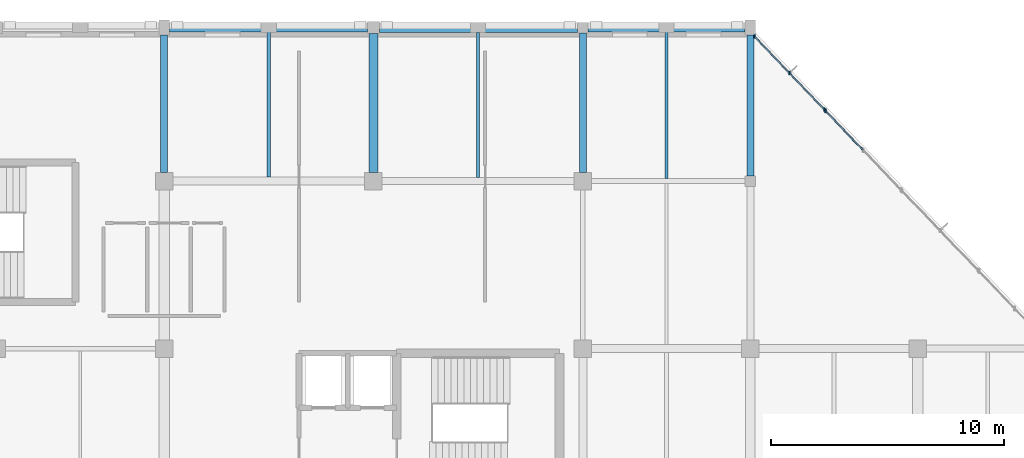
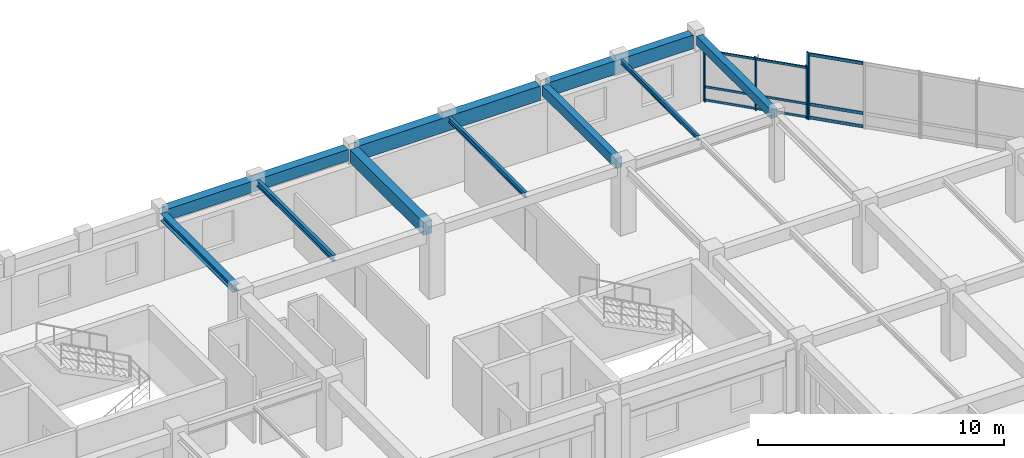
# One storey, part 38 of 74: 13 members, 10 beams, 2 elements without a shape of their own.
"""IFC4 building model written with IfcOpenShell, lengths in metres."""

from ifc_helpers import new_model, si_unit, direction, frame, origin, origin_2d, place, context, subcontext, project, spatial, rectangle, i_section, extrude, material, material_profile, profile_set, type_object, element, aggregate, save


model = new_model("IFC4")

# Units and contexts
model_context = context("Model", 3, precision=1e-05, world=origin(), true_north=direction((0.0, 1.0)))
body_context = subcontext(model_context, "Body", "Model", "MODEL_VIEW")
ifc_project = project(units=[si_unit("LENGTHUNIT", "METRE"), si_unit("AREAUNIT", "SQUARE_METRE"), si_unit("VOLUMEUNIT", "CUBIC_METRE"), si_unit("PLANEANGLEUNIT", "RADIAN"), si_unit("MASSUNIT", "GRAM", prefix="KILO")], contexts=[model_context])

# Site, building, storey
site_placement = place(None, origin())
site = spatial("IfcSite", under=ifc_project, at=site_placement, CompositionType="ELEMENT")
building_placement = place(site_placement, origin())
building = spatial("IfcBuilding", under=site, at=building_placement, Name="Clarverna Civic Hall", CompositionType="ELEMENT")
storey_placement = place(building_placement, frame((0.0, 0.0, 13.199951171875)))
storey = spatial("IfcBuildingStorey", under=building, at=storey_placement, Name="L03", CompositionType="ELEMENT", Elevation=13.199951171875)

# Beams
ifc_material_1 = material(Name="Concrete C35/45", Category="concrete")
ifc_material_profile_1 = material_profile(ifc_material_1, rectangle(XDim=0.300048828125, YDim=0.5, at=origin_2d()), Name="RC 300x500")
ifc_profile_set_1 = profile_set([ifc_material_profile_1], Name="Concrete C35/45")
beam_type_1 = type_object("IfcBeamType", Name="B-RC12", PredefinedType="BEAM", material=ifc_profile_set_1)
beam_1_placement = place(storey_placement, frame((147.60009765625, 109.77490234375, 3.070068359375), z_axis=(0.0, 1.0, 0.0), x_axis=(-1.0, 0.0, 0.0)))
element("IfcBeam", 1, at=beam_1_placement, inside=storey, type_object=beam_type_1, Name="B-RC12-046", PredefinedType="BEAM", context=body_context, shape_type="SweptSolid", body=[
    extrude(rectangle(XDim=0.300048828125, YDim=0.5, at=origin_2d()), origin(), (0.0, 0.0, 1.0), 6.0),
])
ifc_material_profile_2 = material_profile(ifc_material_1, rectangle(XDim=0.300048828125, YDim=0.449951171875, at=origin_2d()), Name="RC 300x450")
ifc_profile_set_2 = profile_set([ifc_material_profile_2], Name="Concrete C35/45")
beam_type_2 = type_object("IfcBeamType", Name="B-RC18", PredefinedType="BEAM", material=ifc_profile_set_2)
beam_2_placement = place(storey_placement, frame((154.800048828125, 109.625, 3.094970703125), z_axis=(0.0, 1.0, 0.0), x_axis=(-1.0, 0.0, 0.0)))
element("IfcBeam", 2, at=beam_2_placement, inside=storey, type_object=beam_type_2, Name="B-RC18-040", PredefinedType="BEAM", context=body_context, shape_type="SweptSolid", body=[
    extrude(rectangle(XDim=0.300048828125, YDim=0.449951171875, at=origin_2d()), origin(), (0.0, 0.0, 1.0), 6.050048828125),
])
ifc_material_profile_3 = material_profile(ifc_material_1, rectangle(XDim=0.39990234375, YDim=0.64990234375, at=origin_2d()), Name="RC 400x650")
ifc_profile_set_3 = profile_set([ifc_material_profile_3], Name="Concrete C35/45")
beam_type_3 = type_object("IfcBeamType", Name="B-RC6", PredefinedType="BEAM", material=ifc_profile_set_3)
beam_3_placement = place(storey_placement, frame((138.60009765625, 109.77490234375, 2.9951171875), z_axis=(0.0, 1.0, 0.0), x_axis=(-1.0, 0.0, 0.0)))
element("IfcBeam", 3, at=beam_3_placement, inside=storey, type_object=beam_type_3, Name="B-RC6-048", PredefinedType="BEAM", context=body_context, shape_type="SweptSolid", body=[
    extrude(rectangle(XDim=0.39990234375, YDim=0.64990234375, at=origin_2d()), origin(), (0.0, 0.0, 1.0), 5.97509765625),
])
ifc_material_profile_4 = material_profile(ifc_material_1, rectangle(XDim=0.419921875, YDim=0.719970703125, at=origin_2d()), Name="RC 420x720")
ifc_profile_set_4 = profile_set([ifc_material_profile_4], Name="Concrete C35/45")
beam_type_4 = type_object("IfcBeamType", Name="B-SP1", PredefinedType="SPANDREL", material=ifc_profile_set_4)
beam_4_placement = place(storey_placement, frame((138.85009765625, 116.0, 2.9599609375), z_axis=(1.0, 0.0, 0.0), x_axis=(0.0, 1.0, 0.0)))
element("IfcBeam", 4, at=beam_4_placement, inside=storey, type_object=beam_type_4, Name="B-SP1-117", PredefinedType="SPANDREL", context=body_context, shape_type="SweptSolid", body=[
    extrude(rectangle(XDim=0.419921875, YDim=0.719970703125, at=origin_2d()), origin(), (0.0, 0.0, 1.0), 8.52490234375),
])
ifc_material_profile_5 = material_profile(ifc_material_1, rectangle(XDim=0.3798828125, YDim=0.679931640625, at=origin_2d()), Name="RC 380x680")
ifc_profile_set_5 = profile_set([ifc_material_profile_5], Name="Concrete C35/45")
beam_type_5 = type_object("IfcBeamType", Name="B-SP2", PredefinedType="SPANDREL", material=ifc_profile_set_5)
beam_5_placement = place(storey_placement, frame((147.824951171875, 116.0, 2.97998046875), z_axis=(1.0, 0.0, 0.0), x_axis=(0.0, 1.0, 0.0)))
element("IfcBeam", 5, at=beam_5_placement, inside=storey, type_object=beam_type_5, Name="B-SP2-122", PredefinedType="SPANDREL", context=body_context, shape_type="SweptSolid", body=[
    extrude(rectangle(XDim=0.3798828125, YDim=0.679931640625, at=origin_2d()), origin(), (0.0, 0.0, 1.0), 6.75),
])
ifc_material_profile_6 = material_profile(ifc_material_1, rectangle(XDim=0.39990234375, YDim=0.56005859375, at=origin_2d()), Name="RC 400x560")
ifc_profile_set_6 = profile_set([ifc_material_profile_6], Name="Concrete C35/45")
beam_type_6 = type_object("IfcBeamType", Name="B-SP4", PredefinedType="SPANDREL", material=ifc_profile_set_6)
beam_6_placement = place(storey_placement, frame((129.824951171875, 116.0, 3.0400390625), z_axis=(1.0, 0.0, 0.0), x_axis=(0.0, 1.0, 0.0)))
element("IfcBeam", 6, at=beam_6_placement, inside=storey, type_object=beam_type_6, Name="B-SP4-118", PredefinedType="SPANDREL", context=body_context, shape_type="SweptSolid", body=[
    extrude(rectangle(XDim=0.39990234375, YDim=0.56005859375, at=origin_2d()), origin(), (0.0, 0.0, 1.0), 8.525146484375),
])
ifc_material_2 = material(Name="Steel S355", Category="steel")
ifc_material_profile_7 = material_profile(ifc_material_2, i_section(OverallWidth=0.300048828125, OverallDepth=0.35009765625, WebThickness=0.010009765625, FlangeThickness=0.017578125, FilletRadius=0.027099609375, at=origin_2d()), Name="HEA 360")
ifc_profile_set_7 = profile_set([ifc_material_profile_7], Name="Steel S355")
beam_type_7 = type_object("IfcBeamType", Name="B-ST7", PredefinedType="BEAM", material=ifc_profile_set_7)
beam_7_placement = place(storey_placement, frame((129.60009765625, 109.77490234375, 3.14501953125), z_axis=(0.0, 1.0, 0.0), x_axis=(-1.0, 0.0, 0.0)))
element("IfcBeam", 7, at=beam_7_placement, inside=storey, type_object=beam_type_7, Name="B-ST7-017", PredefinedType="BEAM", context=body_context, shape_type="SweptSolid", body=[
    extrude(i_section(OverallWidth=0.300048828125, OverallDepth=0.35009765625, WebThickness=0.010009765625, FlangeThickness=0.017578125, FilletRadius=0.027099609375, at=origin_2d()), origin(), (0.0, 0.0, 1.0), 5.900146484375),
])

# Curtain wall, member
ifc_material_3 = material(Name="Anodised Bronze Architectural Aluminium", Category="aluminium")
curtain_wall_type = type_object("IfcCurtainWallType", Name="CW-01", PredefinedType="USERDEFINED", material=ifc_material_3)
curtain_wall_1_placement = place(storey_placement, origin())
curtain_wall_1 = element("IfcCurtainWall", 8, at=curtain_wall_1_placement, inside=storey, type_object=curtain_wall_type, Name="CW-01-065", ObjectType="UNITISED CURTAIN WALL", PredefinedType="USERDEFINED")
ifc_material_profile_8 = material_profile(ifc_material_3, rectangle(XDim=0.06005859375, YDim=0.179931640625, at=origin_2d()), Name="BRONZE 60x180")
ifc_profile_set_8 = profile_set([ifc_material_profile_8], Name="Anodised Bronze Architectural Aluminium")
member_type_1 = type_object("IfcMemberType", Name="CWM-01", PredefinedType="MULLION", material=ifc_profile_set_8)
member_1_placement = place(storey_placement, frame((158.021484375, 112.429443359375, 0.0), z_axis=(0.0, 0.0, 1.0), x_axis=(1.0, 0.0, 0.0)))
member_1 = element("IfcMember", 9, at=member_1_placement, type_object=member_type_1, Name="CWM-01-125", PredefinedType="MULLION", context=body_context, shape_type="SweptSolid", body=[
    extrude(rectangle(XDim=0.06005859375, YDim=0.179931640625, at=origin_2d()), origin(), (0.0, 0.0, 1.0), 3.320068359375),
])

# Curtain wall, members
curtain_wall_2_placement = place(storey_placement, origin())
curtain_wall_2 = element("IfcCurtainWall", 10, at=curtain_wall_2_placement, inside=storey, type_object=curtain_wall_type, Name="CW-01-064", ObjectType="UNITISED CURTAIN WALL", PredefinedType="USERDEFINED")
ifc_material_profile_9 = material_profile(ifc_material_3, rectangle(XDim=0.054931640625, YDim=0.139892578125, at=origin_2d()), Name="BRONZE 55x140")
ifc_profile_set_9 = profile_set([ifc_material_profile_9], Name="Anodised Bronze Architectural Aluminium")
member_type_2 = type_object("IfcMemberType", Name="CWM-04", PredefinedType="MULLION", material=ifc_profile_set_9)
member_2_placement = place(storey_placement, frame((154.97802734375, 115.611083984375, 0.0), z_axis=(0.0, 0.0, 1.0), x_axis=(1.0, 0.0, 0.0)))
member_2 = element("IfcMember", 11, at=member_2_placement, type_object=member_type_2, Name="CWM-04-153", PredefinedType="MULLION", context=body_context, shape_type="SweptSolid", body=[
    extrude(rectangle(XDim=0.054931640625, YDim=0.139892578125, at=origin_2d()), origin(), (0.0, 0.0, 1.0), 2.64013671875),
])
member_3_placement = place(storey_placement, frame((156.47705078125, 114.044189453125, 0.0), z_axis=(0.0, 0.0, 1.0), x_axis=(1.0, 0.0, 0.0)))
member_3 = element("IfcMember", 12, at=member_3_placement, type_object=member_type_2, Name="CWM-04-154", PredefinedType="MULLION", context=body_context, shape_type="SweptSolid", body=[
    extrude(rectangle(XDim=0.054931640625, YDim=0.139892578125, at=origin_2d()), origin(), (0.0, 0.0, 1.0), 2.64013671875),
])
member_4_placement = place(storey_placement, frame((157.97607421875, 112.47705078125, 0.0), z_axis=(0.0, 0.0, 1.0), x_axis=(1.0, 0.0, 0.0)))
member_4 = element("IfcMember", 13, at=member_4_placement, type_object=member_type_2, Name="CWM-04-155", PredefinedType="MULLION", context=body_context, shape_type="SweptSolid", body=[
    extrude(rectangle(XDim=0.054931640625, YDim=0.139892578125, at=origin_2d()), origin(), (0.0, 0.0, 1.0), 2.64013671875),
])

# Member
ifc_material_profile_10 = material_profile(ifc_material_3, rectangle(XDim=0.06005859375, YDim=0.14990234375, at=origin_2d()), Name="BRONZE 60x150")
ifc_profile_set_10 = profile_set([ifc_material_profile_10], Name="Anodised Bronze Architectural Aluminium")
member_type_3 = type_object("IfcMemberType", Name="CWT-01", PredefinedType="USERDEFINED", material=ifc_profile_set_10)
member_5_placement = place(storey_placement, frame((158.031982421875, 112.418701171875, 0.094970703125), z_axis=(0.691174945329, -0.722687480831, 0.0), x_axis=(0.722687480831, 0.691174945329, 0.0)))
member_5 = element("IfcMember", 14, at=member_5_placement, type_object=member_type_3, Name="CWT-01-265", ObjectType="TRANSOM", PredefinedType="USERDEFINED", context=body_context, shape_type="SweptSolid", body=[
    extrude(rectangle(XDim=0.06005859375, YDim=0.14990234375, at=origin_2d()), origin(), (0.0, 0.0, 1.0), 2.32421875),
])

member_6_placement = place(storey_placement, frame((158.031982421875, 112.418701171875, 0.75), z_axis=(0.691174945329, -0.722687480831, 0.0), x_axis=(0.722687480831, 0.691174945329, 0.0)))
member_6 = element("IfcMember", 15, at=member_6_placement, type_object=member_type_3, Name="CWT-01-266", ObjectType="TRANSOM", PredefinedType="USERDEFINED", context=body_context, shape_type="SweptSolid", body=[
    extrude(rectangle(XDim=0.06005859375, YDim=0.14990234375, at=origin_2d()), origin(), (0.0, 0.0, 1.0), 2.32421875),
])

member_7_placement = place(storey_placement, frame((158.031982421875, 112.418701171875, 3.22509765625), z_axis=(0.691174945329, -0.722687480831, 0.0), x_axis=(0.722687480831, 0.691174945329, 0.0)))
member_7 = element("IfcMember", 16, at=member_7_placement, type_object=member_type_3, Name="CWT-01-267", ObjectType="TRANSOM", PredefinedType="USERDEFINED", context=body_context, shape_type="SweptSolid", body=[
    extrude(rectangle(XDim=0.06005859375, YDim=0.14990234375, at=origin_2d()), origin(), (0.0, 0.0, 1.0), 2.32421875),
])

aggregate(curtain_wall_1, [member_1, member_5, member_6, member_7])

ifc_material_profile_11 = material_profile(ifc_material_3, rectangle(XDim=0.054931640625, YDim=0.110107421875, at=origin_2d()), Name="BRONZE 55x110")
ifc_profile_set_11 = profile_set([ifc_material_profile_11], Name="Anodised Bronze Architectural Aluminium")
member_type_4 = type_object("IfcMemberType", Name="CWT-04", PredefinedType="USERDEFINED", material=ifc_profile_set_11)
member_8_placement = place(storey_placement, frame((154.988525390625, 115.600341796875, 0.094970703125), z_axis=(0.691235605717, -0.722629460643, 0.0), x_axis=(0.722629460643, 0.691235605717, 0.0)))
member_8 = element("IfcMember", 17, at=member_8_placement, type_object=member_type_4, Name="CWT-04-322", ObjectType="TRANSOM", PredefinedType="USERDEFINED", context=body_context, shape_type="SweptSolid", body=[
    extrude(rectangle(XDim=0.054931640625, YDim=0.110107421875, at=origin_2d()), origin(), (0.0, 0.0, 1.0), 2.138671875),
])

member_9_placement = place(storey_placement, frame((154.988525390625, 115.600341796875, 0.75), z_axis=(0.691235605717, -0.722629460643, 0.0), x_axis=(0.722629460643, 0.691235605717, 0.0)))
member_9 = element("IfcMember", 18, at=member_9_placement, type_object=member_type_4, Name="CWT-04-323", ObjectType="TRANSOM", PredefinedType="USERDEFINED", context=body_context, shape_type="SweptSolid", body=[
    extrude(rectangle(XDim=0.054931640625, YDim=0.110107421875, at=origin_2d()), origin(), (0.0, 0.0, 1.0), 2.138671875),
])

member_10_placement = place(storey_placement, frame((154.988525390625, 115.600341796875, 2.545166015625), z_axis=(0.691235605717, -0.722629460643, 0.0), x_axis=(0.722629460643, 0.691235605717, 0.0)))
member_10 = element("IfcMember", 19, at=member_10_placement, type_object=member_type_4, Name="CWT-04-324", ObjectType="TRANSOM", PredefinedType="USERDEFINED", context=body_context, shape_type="SweptSolid", body=[
    extrude(rectangle(XDim=0.054931640625, YDim=0.110107421875, at=origin_2d()), origin(), (0.0, 0.0, 1.0), 2.138671875),
])

member_11_placement = place(storey_placement, frame((156.4873046875, 114.033203125, 0.094970703125), z_axis=(0.691235605717, -0.722629460643, 0.0), x_axis=(0.722629460643, 0.691235605717, 0.0)))
member_11 = element("IfcMember", 20, at=member_11_placement, type_object=member_type_4, Name="CWT-04-325", ObjectType="TRANSOM", PredefinedType="USERDEFINED", context=body_context, shape_type="SweptSolid", body=[
    extrude(rectangle(XDim=0.054931640625, YDim=0.110107421875, at=origin_2d()), origin(), (0.0, 0.0, 1.0), 2.138671875),
])

member_12_placement = place(storey_placement, frame((156.4873046875, 114.033203125, 0.75), z_axis=(0.691235605717, -0.722629460643, 0.0), x_axis=(0.722629460643, 0.691235605717, 0.0)))
member_12 = element("IfcMember", 21, at=member_12_placement, type_object=member_type_4, Name="CWT-04-326", ObjectType="TRANSOM", PredefinedType="USERDEFINED", context=body_context, shape_type="SweptSolid", body=[
    extrude(rectangle(XDim=0.054931640625, YDim=0.110107421875, at=origin_2d()), origin(), (0.0, 0.0, 1.0), 2.138671875),
])

member_13_placement = place(storey_placement, frame((156.4873046875, 114.033203125, 2.545166015625), z_axis=(0.691235605717, -0.722629460643, 0.0), x_axis=(0.722629460643, 0.691235605717, 0.0)))
member_13 = element("IfcMember", 22, at=member_13_placement, type_object=member_type_4, Name="CWT-04-327", ObjectType="TRANSOM", PredefinedType="USERDEFINED", context=body_context, shape_type="SweptSolid", body=[
    extrude(rectangle(XDim=0.054931640625, YDim=0.110107421875, at=origin_2d()), origin(), (0.0, 0.0, 1.0), 2.138671875),
])

aggregate(curtain_wall_2, [member_2, member_3, member_4, member_8, member_9, member_10, member_11, member_12, member_13])

# Beams
ifc_material_profile_12 = material_profile(ifc_material_2, i_section(OverallWidth=0.14990234375, OverallDepth=0.300048828125, WebThickness=0.007080078125, FlangeThickness=0.0107421875, FilletRadius=0.014892578125, at=origin_2d()), Name="IPE 300")
ifc_profile_set_12 = profile_set([ifc_material_profile_12], Name="Steel S355")
beam_type_8 = type_object("IfcBeamType", Name="J-ST3", PredefinedType="JOIST", material=ifc_profile_set_12)
beam_8_placement = place(storey_placement, frame((134.10009765625, 109.574951171875, 3.170166015625), z_axis=(0.0, 1.0, 0.0), x_axis=(-1.0, 0.0, 0.0)))
element("IfcBeam", 23, at=beam_8_placement, inside=storey, type_object=beam_type_8, Name="J-ST3-067", PredefinedType="JOIST", context=body_context, shape_type="SweptSolid", body=[
    extrude(i_section(OverallWidth=0.14990234375, OverallDepth=0.300048828125, WebThickness=0.007080078125, FlangeThickness=0.0107421875, FilletRadius=0.014892578125, at=origin_2d()), origin(), (0.0, 0.0, 1.0), 6.22509765625),
])
ifc_material_profile_13 = material_profile(ifc_material_2, i_section(OverallWidth=0.135009765625, OverallDepth=0.27001953125, WebThickness=0.006591796875, FlangeThickness=0.01025390625, FilletRadius=0.014892578125, at=origin_2d()), Name="IPE 270")
ifc_profile_set_13 = profile_set([ifc_material_profile_13], Name="Steel S355")
beam_type_9 = type_object("IfcBeamType", Name="J-ST4", PredefinedType="JOIST", material=ifc_profile_set_13)
beam_9_placement = place(storey_placement, frame((143.10009765625, 109.550048828125, 3.18505859375), z_axis=(0.0, 1.0, 0.0), x_axis=(-1.0, 0.0, 0.0)))
element("IfcBeam", 24, at=beam_9_placement, inside=storey, type_object=beam_type_9, Name="J-ST4-069", PredefinedType="JOIST", context=body_context, shape_type="SweptSolid", body=[
    extrude(i_section(OverallWidth=0.135009765625, OverallDepth=0.27001953125, WebThickness=0.006591796875, FlangeThickness=0.01025390625, FilletRadius=0.014892578125, at=origin_2d()), origin(), (0.0, 0.0, 1.0), 6.239990234375),
])
ifc_material_profile_14 = material_profile(ifc_material_2, i_section(OverallWidth=0.1201171875, OverallDepth=0.239990234375, WebThickness=0.006103515625, FlangeThickness=0.009765625, FilletRadius=0.014892578125, at=origin_2d()), Name="IPE 240")
ifc_profile_set_14 = profile_set([ifc_material_profile_14], Name="Steel S355")
beam_type_10 = type_object("IfcBeamType", Name="J-ST5", PredefinedType="JOIST", material=ifc_profile_set_14)
beam_10_placement = place(storey_placement, frame((151.199951171875, 109.5048828125, 3.199951171875), z_axis=(0.0, 1.0, 0.0), x_axis=(-1.0, 0.0, 0.0)))
element("IfcBeam", 25, at=beam_10_placement, inside=storey, type_object=beam_type_10, Name="J-ST5-066", PredefinedType="JOIST", context=body_context, shape_type="SweptSolid", body=[
    extrude(i_section(OverallWidth=0.1201171875, OverallDepth=0.239990234375, WebThickness=0.006103515625, FlangeThickness=0.009765625, FilletRadius=0.014892578125, at=origin_2d()), origin(), (0.0, 0.0, 1.0), 6.30517578125),
])

save(model, "model.ifc")
